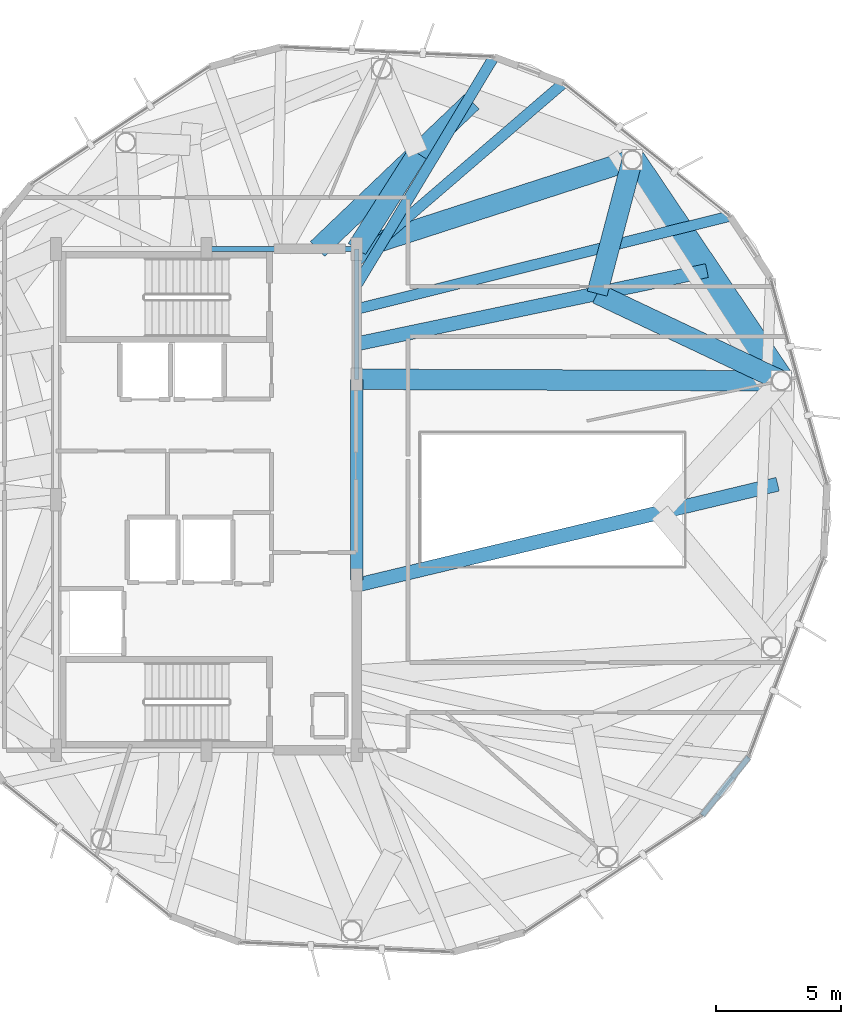
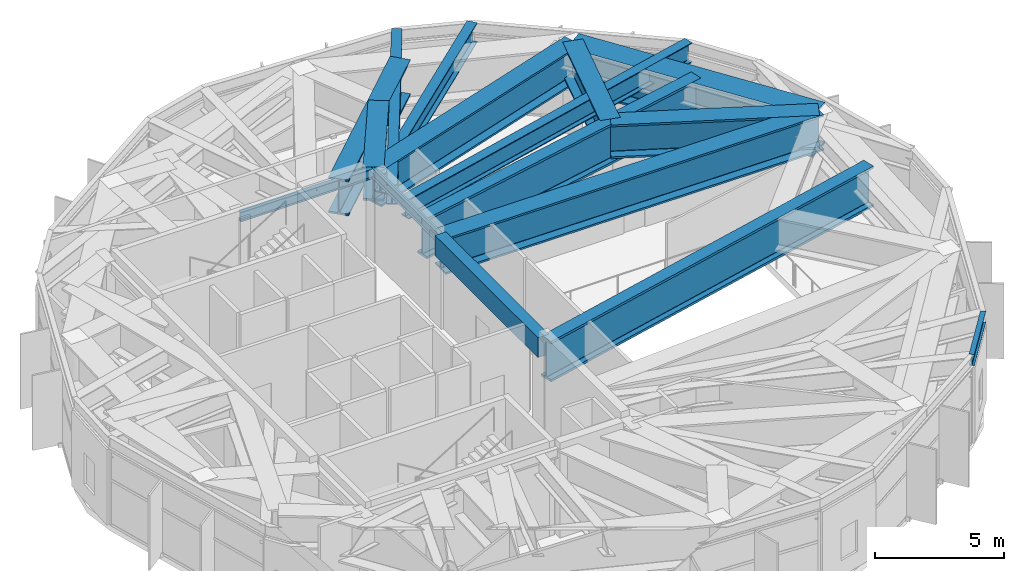
# One storey, part 13 of 27: 16 beams.
"""IFC4 building model written with IfcOpenShell, lengths in metres."""

import ifcopenshell
import ifcopenshell.guid

model = None  # the IFC model being written
_history = None  # IfcOwnerHistory: only IFC2X3 demands one
_inside = {}  # id of a spatial element -> (the spatial element, [elements in it])
_under = {}  # id of a project, library or spatial element -> (it, [spatial elements below it])
_declared = {}  # id of a project -> (the project, [libraries it declares])
_typed = {}  # id of a type object -> (the type object, [elements of that type])
_made_of = {}  # id of a material, layer set ... -> (it, [elements and type objects made of it])


def new_model(schema):
    """Start an empty IFC model of exactly this schema.

    Asked for "IFC4X3", IfcOpenShell would pick the latest addendum, in which some entities
    have other attributes; the version numbers below select the first issue.
    IFC2X3 requires an IfcOwnerHistory on every rooted entity: one is made here for all.
    """
    global model, _history
    if schema == "IFC4X3":
        model = ifcopenshell.file(schema_version=(4, 3, 0, 0))
    else:
        model = ifcopenshell.file(schema=schema)
    _inside.clear()
    _under.clear()
    _declared.clear()
    _typed.clear()
    _made_of.clear()
    _history = None
    if model.schema == "IFC2X3":
        org = make("IfcOrganization", Name="unknown")
        user = make(
            "IfcPersonAndOrganization",
            ThePerson=make("IfcPerson", FamilyName="unknown"),
            TheOrganization=org,
        )
        app = make(
            "IfcApplication",
            ApplicationDeveloper=org,
            Version="unknown",
            ApplicationFullName="unknown",
            ApplicationIdentifier="unknown",
        )
        _history = make(
            "IfcOwnerHistory",
            OwningUser=user,
            OwningApplication=app,
            ChangeAction="ADDED",
            CreationDate=0,
        )
    return model


def make(cls, **values):
    """One entity of the class cls with the attributes given. An attribute that is None is left unset."""
    return model.create_entity(
        cls, **{name: value for name, value in values.items() if value is not None}
    )


def rooted(cls, **values):
    """An entity with a GlobalId (a new one), such as an element, a storey or a relation."""
    return make(cls, GlobalId=ifcopenshell.guid.new(), OwnerHistory=_history, **values)


def si_unit(unit_type, name, prefix=None):
    """IfcSIUnit, for example si_unit("LENGTHUNIT", "METRE", prefix="MILLI")."""
    return make("IfcSIUnit", UnitType=unit_type, Prefix=prefix, Name=name)


def assignment(units):
    """IfcUnitAssignment: the units of a project."""
    return None if units is None else make("IfcUnitAssignment", Units=units)


def point(xyz):
    """IfcCartesianPoint."""
    return None if xyz is None else make("IfcCartesianPoint", Coordinates=xyz)


def direction(xyz):
    """IfcDirection."""
    return None if xyz is None else make("IfcDirection", DirectionRatios=xyz)


def frame(location, z_axis=None, x_axis=None):
    """IfcAxis2Placement3D, a coordinate frame: its origin and axes. An axis left out is left unset."""
    return make(
        "IfcAxis2Placement3D",
        Location=point(location),
        Axis=direction(z_axis),
        RefDirection=direction(x_axis),
    )


def frame_2d(location, x_axis=None):
    """IfcAxis2Placement2D, a coordinate frame in the plane: its origin and x axis."""
    return make(
        "IfcAxis2Placement2D", Location=point(location), RefDirection=direction(x_axis)
    )


def origin():
    """The frame at (0, 0, 0) with its axes left unset."""
    return frame((0.0, 0.0, 0.0))


def origin_2d():
    """The frame at (0, 0) in the plane with its x axis left unset."""
    return frame_2d((0.0, 0.0))


def place(relative_to, where):
    """IfcLocalPlacement: puts the frame where relative to a parent placement (None: the world)."""
    return make(
        "IfcLocalPlacement", PlacementRelTo=relative_to, RelativePlacement=where
    )


def context(
    kind, dimensions, precision=None, world=None, true_north=None, identifier=None
):
    """IfcGeometricRepresentationContext, for example the 3D "Model" context."""
    return make(
        "IfcGeometricRepresentationContext",
        ContextIdentifier=identifier,
        ContextType=kind,
        CoordinateSpaceDimension=dimensions,
        Precision=precision,
        WorldCoordinateSystem=world,
        TrueNorth=true_north,
    )


def subcontext(parent, identifier, kind, view, scale=None):
    """IfcGeometricRepresentationSubContext, for example "Body" below "Model"."""
    return make(
        "IfcGeometricRepresentationSubContext",
        ContextIdentifier=identifier,
        ContextType=kind,
        ParentContext=parent,
        TargetScale=scale,
        TargetView=view,
    )


def project(units=None, contexts=None):
    """IfcProject with its units and contexts."""
    return rooted(
        "IfcProject",
        Name="project",
        RepresentationContexts=contexts,
        UnitsInContext=assignment(units),
    )


def spatial(cls, under=None, at=None, **own):
    """A site, building, storey or space (cls), placed at a placement, below another one or the project."""
    s = rooted(cls, ObjectPlacement=at, **own)
    if under is not None:
        _under.setdefault(under.id(), (under, []))[1].append(s)
    return s


def profile(cls, at=None, kind="AREA", **sizes):
    """A parametric profile (cls). Its sizes go by their IFC names, for example OverallWidth=200.0."""
    return make(cls, ProfileType=kind, Position=at, **sizes)


def rectangle(**sizes):
    """IfcRectangleProfileDef."""
    return profile("IfcRectangleProfileDef", **sizes)


def i_section(**sizes):
    """IfcIShapeProfileDef."""
    return profile("IfcIShapeProfileDef", **sizes)


def extrude(swept, where, along, depth):
    """IfcExtrudedAreaSolid: the profile swept, set in the frame where, extruded along a direction by depth."""
    return make(
        "IfcExtrudedAreaSolid",
        SweptArea=swept,
        Position=where,
        ExtrudedDirection=direction(along),
        Depth=depth,
    )


def shape(context_of_items, identifier, shape_type, items):
    """IfcShapeRepresentation: the items that make up one representation, for example the "Body"."""
    return make(
        "IfcShapeRepresentation",
        ContextOfItems=context_of_items,
        RepresentationIdentifier=identifier,
        RepresentationType=shape_type,
        Items=items,
    )


def material(Name=None, Category=None):
    """IfcMaterial."""
    return make("IfcMaterial", Name=Name, Category=Category)


def material_profile(
    of_material, cross_section, Name=None, Category=None, Priority=None
):
    """IfcMaterialProfile: a cross section and its material."""
    return make(
        "IfcMaterialProfile",
        Name=Name,
        Material=of_material,
        Profile=cross_section,
        Priority=Priority,
        Category=Category,
    )


def profile_set(profiles, Name=None, composite=None):
    """IfcMaterialProfileSet."""
    return make(
        "IfcMaterialProfileSet",
        Name=Name,
        MaterialProfiles=profiles,
        CompositeProfile=composite,
    )


def made_of(thing, what):
    """Note that an element or type object is made of a material, layer set ...; save() writes the relation."""
    if what is not None:
        _made_of.setdefault(what.id(), (what, []))[1].append(thing)
    return thing


def type_object(cls, material=None, **own):
    """A type object (cls), such as IfcWallType, which elements share."""
    return made_of(rooted(cls, **own), material)


def element(
    cls,
    number,
    at=None,
    inside=None,
    cuts=None,
    type_object=None,
    material=None,
    context=None,
    identifier="Body",
    shape_type=None,
    held_by="IfcProductDefinitionShape",
    body=None,
    shapes=None,
    **own,
):
    """One element of the class cls, such as IfcWall. Its Tag is "e" and its number.

    at: its placement. inside: the storey or other place that contains it. cuts: it is an
    opening in that element (IfcRelVoidsElement). A single representation is given by context,
    identifier, shape_type and body (its items); several are given by shapes. held_by: the class
    of the entity that holds the representations. save() writes the other relations.
    """
    e = rooted(cls, Tag="e%d" % number, ObjectPlacement=at, **own)
    if body is not None:
        shapes = [shape(context, identifier, shape_type, body)]
    if shapes is not None:
        e.Representation = make(held_by, Representations=shapes)
    if inside is not None:
        _inside.setdefault(inside.id(), (inside, []))[1].append(e)
    if cuts is not None:
        rooted(
            "IfcRelVoidsElement", RelatingBuildingElement=cuts, RelatedOpeningElement=e
        )
    if type_object is not None:
        _typed.setdefault(type_object.id(), (type_object, []))[1].append(e)
    return made_of(e, material)


def aggregate(whole, parts):
    """IfcRelAggregates: a whole, such as a stair, and the parts it consists of."""
    return rooted("IfcRelAggregates", RelatingObject=whole, RelatedObjects=parts)


def save(model, path):
    """Write the relations noted so far, then the file.

    IfcRelAggregates (storeys below a building ...), IfcRelContainedInSpatialStructure (elements
    in a storey), IfcRelDefinesByType, IfcRelAssociatesMaterial and IfcRelDeclares: one each for
    every whole, place, type object, material and project.
    """
    for whole, parts in _under.values():
        aggregate(whole, parts)
    for where, things in _inside.values():
        rooted(
            "IfcRelContainedInSpatialStructure",
            RelatedElements=things,
            RelatingStructure=where,
        )
    for kind, things in _typed.values():
        rooted("IfcRelDefinesByType", RelatedObjects=things, RelatingType=kind)
    for what, things in _made_of.values():
        rooted("IfcRelAssociatesMaterial", RelatedObjects=things, RelatingMaterial=what)
    for by, libraries in _declared.values():
        rooted("IfcRelDeclares", RelatingContext=by, RelatedDefinitions=libraries)
    model.write(path)


model = new_model("IFC4")

# Units and contexts
model_context = context("Model", 3, precision=1e-05, world=origin(), true_north=direction((0.0, 1.0)))
body_context = subcontext(model_context, "Body", "Model", "MODEL_VIEW")
ifc_project = project(units=[si_unit("LENGTHUNIT", "METRE"), si_unit("AREAUNIT", "SQUARE_METRE"), si_unit("VOLUMEUNIT", "CUBIC_METRE"), si_unit("PLANEANGLEUNIT", "RADIAN"), si_unit("MASSUNIT", "GRAM", prefix="KILO")], contexts=[model_context])

# Site, building, storey
site_placement = place(None, origin())
site = spatial("IfcSite", under=ifc_project, at=site_placement, CompositionType="ELEMENT")
building_placement = place(site_placement, origin())
building = spatial("IfcBuilding", under=site, at=building_placement, Name="Soratama Intermodal Tower", CompositionType="ELEMENT")
storey_placement = place(building_placement, frame((0.0, 0.0, 288.550048828125)))
storey = spatial("IfcBuildingStorey", under=building, at=storey_placement, Name="L73", CompositionType="ELEMENT", Elevation=288.550048828125)

# Beams
ifc_material_1 = material(Name="Concrete f'c 56 MPa", Category="concrete")
ifc_material_profile_1 = material_profile(ifc_material_1, rectangle(XDim=0.5, YDim=0.949951171875, at=origin_2d()), Name="RC500X950")
ifc_profile_set_1 = profile_set([ifc_material_profile_1], Name="Concrete f'c 56 MPa")
beam_type_1 = type_object("IfcBeamType", Name="BM-CPL-RC500X950", PredefinedType="BEAM", material=ifc_profile_set_1)
beam_1_placement = place(storey_placement, frame((44.60009765625, 21.800048828125, 3.719970703125), z_axis=(0.0, 1.0, 0.0), x_axis=(-1.0, 0.0, 0.0)))
element("IfcBeam", 1, at=beam_1_placement, inside=storey, type_object=beam_type_1, Name="L73 Core Coupling Beam East", PredefinedType="BEAM", context=body_context, shape_type="SweptSolid", body=[
    extrude(rectangle(XDim=0.5, YDim=0.949951171875, at=origin_2d()), origin(), (0.0, 0.0, 1.0), 8.0),
])
ifc_material_2 = material(Name="Structural steel ASTM A992 Grade 50", Category="steel")
ifc_material_profile_2 = material_profile(ifc_material_2, i_section(OverallWidth=0.19091796875, OverallDepth=0.4599609375, WebThickness=0.010009765625, FlangeThickness=0.01611328125, FilletRadius=0.010986328125, at=origin_2d()), Name="W18X55")
ifc_profile_set_2 = profile_set([ifc_material_profile_2], Name="Structural steel ASTM A992 Grade 50")
beam_type_2 = type_object("IfcBeamType", Name="BM-FLR-W18X55", PredefinedType="BEAM", material=ifc_profile_set_2)
beam_2_placement = place(storey_placement, frame((44.60009765625, 29.800048828125, 3.96484375), z_axis=(0.0, 1.0, 0.0), x_axis=(-1.0, 0.0, 0.0)))
element("IfcBeam", 2, at=beam_2_placement, inside=storey, type_object=beam_type_2, Name="BM-L73-CRING-05", PredefinedType="BEAM", context=body_context, shape_type="SweptSolid", body=[
    extrude(i_section(OverallWidth=0.19091796875, OverallDepth=0.4599609375, WebThickness=0.010009765625, FlangeThickness=0.01611328125, FilletRadius=0.010986328125, at=origin_2d()), origin(), (0.0, 0.0, 1.0), 5.199951171875),
])
beam_3_placement = place(storey_placement, frame((44.60009765625, 35.0, 3.96484375), z_axis=(-1.0, 0.0, 0.0), x_axis=(0.0, -1.0, 0.0)))
element("IfcBeam", 3, at=beam_3_placement, inside=storey, type_object=beam_type_2, Name="BM-L73-CRING-06", PredefinedType="BEAM", context=body_context, shape_type="SweptSolid", body=[
    extrude(i_section(OverallWidth=0.19091796875, OverallDepth=0.4599609375, WebThickness=0.010009765625, FlangeThickness=0.01611328125, FilletRadius=0.010986328125, at=origin_2d()), origin(), (0.0, 0.0, 1.0), 6.0),
])
ifc_material_3 = material(Name="Structural steel ASTM A992 Grade 50", Category="steel")
ifc_material_profile_3 = material_profile(ifc_material_3, i_section(OverallWidth=0.423095703125, OverallDepth=0.93896484375, WebThickness=0.02392578125, FlangeThickness=0.042724609375, FilletRadius=0.02392578125, at=origin_2d()), Name="W36X302")
ifc_profile_set_3 = profile_set([ifc_material_profile_3], Name="Structural steel ASTM A992 Grade 50")
beam_type_3 = type_object("IfcBeamType", Name="BM-POD-W36X302", PredefinedType="BEAM", material=ifc_profile_set_3)
beam_4_placement = place(storey_placement, frame((44.62109375, 33.60107421875, 3.725341796875), z_axis=(0.515164414353, 0.857091375633, 0.0), x_axis=(-0.857091375633, 0.515164414353, 0.0)))
element("IfcBeam", 4, at=beam_4_placement, inside=storey, type_object=beam_type_3, Name="BM-L73-TIE0-01", PredefinedType="BEAM", context=body_context, shape_type="SweptSolid", body=[
    extrude(i_section(OverallWidth=0.423095703125, OverallDepth=0.93896484375, WebThickness=0.02392578125, FlangeThickness=0.042724609375, FilletRadius=0.02392578125, at=origin_2d()), origin(), (0.0, 0.0, 1.0), 10.5751953125),
])
beam_5_placement = place(storey_placement, frame((44.638916015625, 32.613037109375, 3.725341796875), z_axis=(0.970330887372, 0.241780828461, 0.0), x_axis=(-0.241780828461, 0.970330887372, 0.0)))
element("IfcBeam", 5, at=beam_5_placement, inside=storey, type_object=beam_type_3, Name="BM-L73-TIE0-10", PredefinedType="BEAM", context=body_context, shape_type="SweptSolid", body=[
    extrude(i_section(OverallWidth=0.423095703125, OverallDepth=0.93896484375, WebThickness=0.02392578125, FlangeThickness=0.042724609375, FilletRadius=0.02392578125, at=origin_2d()), origin(), (0.0, 0.0, 1.0), 15.298828125),
])
beam_6_placement = place(storey_placement, frame((44.6298828125, 34.5458984375, 3.725341796875), z_axis=(0.757819221061, 0.652464580028, 0.0), x_axis=(-0.652464580028, 0.757819221061, 0.0)))
element("IfcBeam", 6, at=beam_6_placement, inside=storey, type_object=beam_type_3, Name="BM-L73-TIE1-10", PredefinedType="BEAM", context=body_context, shape_type="SweptSolid", body=[
    extrude(i_section(OverallWidth=0.423095703125, OverallDepth=0.93896484375, WebThickness=0.02392578125, FlangeThickness=0.042724609375, FilletRadius=0.02392578125, at=origin_2d()), origin(), (0.0, 0.0, 1.0), 10.84033203125),
])
ifc_material_4 = material(Name="Structural steel ASTM A992 Grade 50", Category="steel")
ifc_material_profile_4 = material_profile(ifc_material_4, i_section(OverallWidth=0.2099609375, OverallDepth=0.537109375, WebThickness=0.010986328125, FlangeThickness=0.017333984375, FilletRadius=0.012939453125, at=origin_2d()), Name="W21X68")
ifc_profile_set_4 = profile_set([ifc_material_profile_4], Name="Structural steel ASTM A992 Grade 50")
beam_type_4 = type_object("IfcBeamType", Name="BM-SPN-W21X68", PredefinedType="SPANDREL", material=ifc_profile_set_4)
beam_7_placement = place(storey_placement, frame((58.382080078125, 12.403076171875, 3.926513671875), z_axis=(0.624343648605, 0.78114979898, 0.0), x_axis=(-0.78114979898, 0.624343648605, 0.0)))
element("IfcBeam", 7, at=beam_7_placement, inside=storey, type_object=beam_type_4, Name="BS-L73-CRN07", PredefinedType="SPANDREL", context=body_context, shape_type="SweptSolid", body=[
    extrude(i_section(OverallWidth=0.2099609375, OverallDepth=0.537109375, WebThickness=0.010986328125, FlangeThickness=0.017333984375, FilletRadius=0.012939453125, at=origin_2d()), origin(), (0.0, 0.0, 1.0), 2.966064453125),
])
ifc_material_5 = material(Name="Structural steel ASTM A992 Grade 50", Category="steel")
ifc_material_profile_5 = material_profile(ifc_material_5, i_section(OverallWidth=0.56005859375, OverallDepth=1.919921875, WebThickness=0.05810546875, FlangeThickness=0.110107421875, FilletRadius=0.02392578125, at=origin_2d()), Name="PG2150X720")
ifc_profile_set_5 = profile_set([ifc_material_profile_5], Name="Structural steel ASTM A992 Grade 50")
beam_type_5 = type_object("IfcBeamType", Name="BM-ZSTEP-LONG", PredefinedType="BEAM", material=ifc_profile_set_5)
beam_8_placement = place(storey_placement, frame((58.569091796875, 34.136962890625, 3.23486328125), z_axis=(-0.978803147772, -0.204803315188, 0.0), x_axis=(0.204803315188, -0.978803147772, 0.0)))
element("IfcBeam", 8, at=beam_8_placement, inside=storey, type_object=beam_type_5, Name="BM-L73-ZCHORD-01", PredefinedType="BEAM", context=body_context, shape_type="SweptSolid", body=[
    extrude(i_section(OverallWidth=0.56005859375, OverallDepth=1.919921875, WebThickness=0.05810546875, FlangeThickness=0.110107421875, FilletRadius=0.02392578125, at=origin_2d()), origin(), (0.0, 0.0, 1.0), 14.271484375),
])
beam_9_placement = place(storey_placement, frame((61.389892578125, 25.614013671875, 3.23486328125), z_axis=(-0.972419508732, -0.233238716851, 0.0), x_axis=(0.233238716851, -0.972419508732, 0.0)))
element("IfcBeam", 9, at=beam_9_placement, inside=storey, type_object=beam_type_5, Name="BM-L73-ZCHORD-10", PredefinedType="BEAM", context=body_context, shape_type="SweptSolid", body=[
    extrude(i_section(OverallWidth=0.56005859375, OverallDepth=1.919921875, WebThickness=0.05810546875, FlangeThickness=0.110107421875, FilletRadius=0.02392578125, at=origin_2d()), origin(), (0.0, 0.0, 1.0), 17.26611328125),
])
ifc_material_6 = material(Name="Structural steel ASTM A992 Grade 50", Category="steel")
ifc_material_profile_6 = material_profile(ifc_material_6, i_section(OverallWidth=0.820068359375, OverallDepth=1.699951171875, WebThickness=0.053955078125, FlangeThickness=0.087890625, FilletRadius=0.02392578125, at=origin_2d()), Name="PG1580X800")
ifc_profile_set_6 = profile_set([ifc_material_profile_6], Name="Structural steel ASTM A992 Grade 50")
beam_type_6 = type_object("IfcBeamType", Name="BM-ZSTEP-PG1580", PredefinedType="BEAM", material=ifc_profile_set_6)
beam_10_placement = place(storey_placement, frame((49.195068359375, 40.881103515625, 3.344970703125), z_axis=(-0.723572783687, -0.690248090695, 0.0), x_axis=(0.690248090695, -0.723572783687, 0.0)))
element("IfcBeam", 10, at=beam_10_placement, inside=storey, type_object=beam_type_6, Name="BM-L73-ZCHORD-02", PredefinedType="BEAM", context=body_context, shape_type="SweptSolid", body=[
    extrude(i_section(OverallWidth=0.820068359375, OverallDepth=1.699951171875, WebThickness=0.053955078125, FlangeThickness=0.087890625, FilletRadius=0.02392578125, at=origin_2d()), origin(), (0.0, 0.0, 1.0), 8.520263671875),
])
beam_11_placement = place(storey_placement, frame((44.60009765625, 29.800048828125, 3.344970703125), z_axis=(0.999993913522, -0.003488971138, 0.0), x_axis=(0.003488971138, 0.999993913522, 0.0)))
element("IfcBeam", 11, at=beam_11_placement, inside=storey, type_object=beam_type_6, Name="BM-L73-RAD-01", PredefinedType="BEAM", context=body_context, shape_type="SweptSolid", body=[
    extrude(i_section(OverallWidth=0.820068359375, OverallDepth=1.699951171875, WebThickness=0.053955078125, FlangeThickness=0.087890625, FilletRadius=0.02392578125, at=origin_2d()), origin(), (0.0, 0.0, 1.0), 16.933837890625),
])
beam_12_placement = place(storey_placement, frame((44.60009765625, 35.0, 3.344970703125), z_axis=(0.95147783512, 0.307717287904, 0.0), x_axis=(-0.307717287904, 0.95147783512, 0.0)))
element("IfcBeam", 12, at=beam_12_placement, inside=storey, type_object=beam_type_6, Name="BM-L73-RAD-02", PredefinedType="BEAM", context=body_context, shape_type="SweptSolid", body=[
    extrude(i_section(OverallWidth=0.820068359375, OverallDepth=1.699951171875, WebThickness=0.053955078125, FlangeThickness=0.087890625, FilletRadius=0.02392578125, at=origin_2d()), origin(), (0.0, 0.0, 1.0), 11.54931640625),
])
ifc_material_7 = material(Name="Structural steel ASTM A992 Grade 50", Category="steel")
ifc_material_profile_7 = material_profile(ifc_material_7, i_section(OverallWidth=0.820068359375, OverallDepth=1.60205078125, WebThickness=0.055908203125, FlangeThickness=0.092041015625, FilletRadius=0.02392578125, at=origin_2d()), Name="PG1600X650")
ifc_profile_set_7 = profile_set([ifc_material_profile_7], Name="Structural steel ASTM A992 Grade 50")
beam_type_7 = type_object("IfcBeamType", Name="BM-ZSTEP-PG1600", PredefinedType="BEAM", material=ifc_profile_set_7)
beam_13_placement = place(storey_placement, frame((55.589111328125, 38.553955078125, 3.39404296875), z_axis=(-0.254225279306, -0.967145029125, 0.0), x_axis=(0.967145029125, -0.254225279306, 0.0)))
element("IfcBeam", 13, at=beam_13_placement, inside=storey, type_object=beam_type_7, Name="BM-L73-ZSTEP-A01", PredefinedType="BEAM", context=body_context, shape_type="SweptSolid", body=[
    extrude(i_section(OverallWidth=0.820068359375, OverallDepth=1.60205078125, WebThickness=0.055908203125, FlangeThickness=0.092041015625, FilletRadius=0.02392578125, at=origin_2d()), origin(), (0.0, 0.0, 1.0), 5.51513671875),
])
beam_14_placement = place(storey_placement, frame((54.18701171875, 33.219970703125, 3.39404296875), z_axis=(0.903791035639, -0.427974022459, 0.0), x_axis=(0.427974022459, 0.903791035639, 0.0)))
element("IfcBeam", 14, at=beam_14_placement, inside=storey, type_object=beam_type_7, Name="BM-L73-ZSTEP-B01", PredefinedType="BEAM", context=body_context, shape_type="SweptSolid", body=[
    extrude(i_section(OverallWidth=0.820068359375, OverallDepth=1.60205078125, WebThickness=0.055908203125, FlangeThickness=0.092041015625, FilletRadius=0.02392578125, at=origin_2d()), origin(), (0.0, 0.0, 1.0), 8.12890625),
])
beam_15_placement = place(storey_placement, frame((47.028076171875, 38.81298828125, 3.39404296875), z_axis=(-0.537116603261, -0.843508005001, 0.0), x_axis=(0.843508005001, -0.537116603261, 0.0)))
element("IfcBeam", 15, at=beam_15_placement, inside=storey, type_object=beam_type_7, Name="BM-L73-ZSTEP-B02", PredefinedType="BEAM", context=body_context, shape_type="SweptSolid", body=[
    extrude(i_section(OverallWidth=0.820068359375, OverallDepth=1.60205078125, WebThickness=0.055908203125, FlangeThickness=0.092041015625, FilletRadius=0.02392578125, at=origin_2d()), origin(), (0.0, 0.0, 1.0), 4.5205078125),
])
ifc_material_8 = material(Name="Structural steel ASTM A992 Grade 50", Category="steel")
ifc_material_profile_8 = material_profile(ifc_material_8, i_section(OverallWidth=1.06005859375, OverallDepth=1.9599609375, WebThickness=0.05810546875, FlangeThickness=0.095947265625, FilletRadius=0.02392578125, at=origin_2d()), Name="PG2400X900")
ifc_profile_set_8 = profile_set([ifc_material_profile_8], Name="Structural steel ASTM A992 Grade 50")
beam_type_8 = type_object("IfcBeamType", Name="BM-ZSTEP-PG2400", PredefinedType="BEAM", material=ifc_profile_set_8)
beam_16_placement = place(storey_placement, frame((61.533935546875, 29.740966796875, 3.21484375), z_axis=(-0.559218025165, 0.829020627204, 0.0), x_axis=(-0.829020627204, -0.559218025165, 0.0)))
element("IfcBeam", 16, at=beam_16_placement, inside=storey, type_object=beam_type_8, Name="BM-L73-RING-01", PredefinedType="BEAM", context=body_context, shape_type="SweptSolid", body=[
    extrude(i_section(OverallWidth=1.06005859375, OverallDepth=1.9599609375, WebThickness=0.05810546875, FlangeThickness=0.095947265625, FilletRadius=0.02392578125, at=origin_2d()), origin(), (0.0, 0.0, 1.0), 10.630615234375),
])

save(model, "model.ifc")
